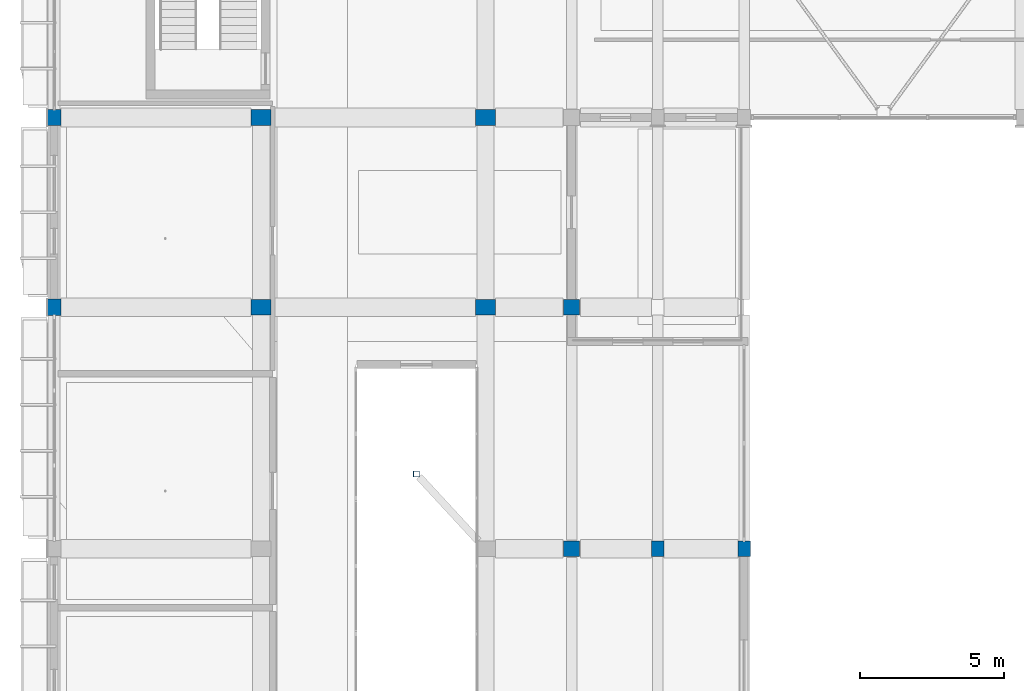
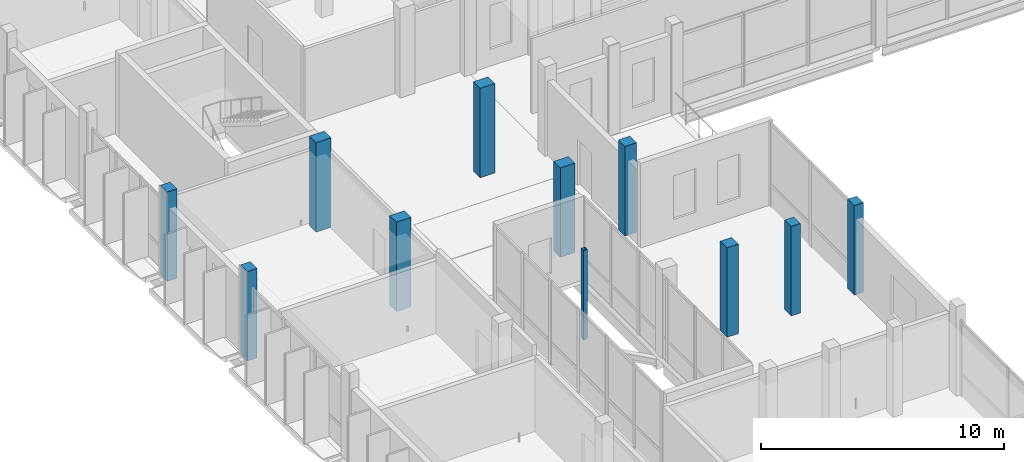
# One storey, part 4 of 95: 11 columns.
"""IFC4 building model written with IfcOpenShell, lengths in metres."""

from ifc_helpers import new_model, si_unit, derived_unit, direction, frame, origin, origin_2d, place, context, subcontext, project, spatial, rectangle, hollow_rectangle, extrude, material, material_profile, profile_set, type_object, element, save


model = new_model("IFC4")

# Units and contexts
model_context = context("Model", 3, precision=1e-05, world=origin(), true_north=direction((0.0, 1.0)))
body_context = subcontext(model_context, "Body", "Model", "MODEL_VIEW")
ifc_project = project(units=[si_unit("LENGTHUNIT", "METRE"), si_unit("AREAUNIT", "SQUARE_METRE"), si_unit("VOLUMEUNIT", "CUBIC_METRE"), si_unit("PLANEANGLEUNIT", "RADIAN"), si_unit("MASSUNIT", "GRAM", prefix="KILO"), derived_unit("THERMALTRANSMITTANCEUNIT", [(si_unit("POWERUNIT", "WATT"), 1), (si_unit("LENGTHUNIT", "METRE"), -2), (si_unit("THERMODYNAMICTEMPERATUREUNIT", "KELVIN"), -1)])], contexts=[model_context])

# Site, building, storey
site_placement = place(None, origin())
site = spatial("IfcSite", under=ifc_project, at=site_placement, CompositionType="ELEMENT")
building_placement = place(site_placement, origin())
building = spatial("IfcBuilding", under=site, at=building_placement, Name="Braskholm Square Health Centre", CompositionType="ELEMENT")
storey_placement = place(building_placement, frame((0.0, 0.0, 4.800048828125)))
storey = spatial("IfcBuildingStorey", under=building, at=storey_placement, Name="L02", CompositionType="ELEMENT", Elevation=4.800048828125)

# Columns
ifc_material_1 = material(Name="Concrete C40/50 (f'c = 40 MPa)", Category="concrete")
ifc_material_profile_1 = material_profile(ifc_material_1, rectangle(XDim=0.699951171875, YDim=0.550048828125, at=origin_2d()), Name="RC-700X550")
ifc_profile_set_1 = profile_set([ifc_material_profile_1], Name="Concrete C40/50 (f'c = 40 MPa)")
column_type_1 = type_object("IfcColumnType", Name="ColImagingHeavy700x550", PredefinedType="COLUMN", material=ifc_profile_set_1)
for number, where, z_axis, x_axis, name in (
    (1, (11.39990234375, 80.60009765625, 0.0), (0.0, 0.0, 1.0), (1.0, 0.0, 0.0), "Column 2/M L02"),
    (2, (11.39990234375, 87.199951171875, 0.0), (0.0, 0.0, 1.0), (1.0, 0.0, 0.0), "Column 2/N L02"),
    (3, (19.199951171875, 80.60009765625, 0.0), (0.0, 0.0, 1.0), (1.0, 0.0, 0.0), "Column 3/M L02"),
    (4, (19.199951171875, 87.199951171875, 0.0), (0.0, 0.0, 1.0), (1.0, 0.0, 0.0), "Column 3/N L02"),
):
    element("IfcColumn", number, at=place(storey_placement, frame(where, z_axis=z_axis, x_axis=x_axis)), inside=storey, type_object=column_type_1, Name=name, PredefinedType="COLUMN", context=body_context, shape_type="SweptSolid", body=[
        extrude(rectangle(XDim=0.699951171875, YDim=0.550048828125, at=origin_2d()), origin(), (0.0, 0.0, 1.0), 4.5),
    ])
ifc_material_profile_2 = material_profile(ifc_material_1, rectangle(XDim=0.550048828125, YDim=0.550048828125, at=origin_2d()), Name="RC-550X550")
ifc_profile_set_2 = profile_set([ifc_material_profile_2], Name="Concrete C40/50 (f'c = 40 MPa)")
column_type_2 = type_object("IfcColumnType", Name="ColInteriorMid550", PredefinedType="COLUMN", material=ifc_profile_set_2)
for number, where, z_axis, x_axis, name in (
    (5, (22.199951171875, 72.199951171875, 0.0), (0.0, 0.0, 1.0), (1.0, 0.0, 0.0), "Column 4/L L02"),
    (6, (22.199951171875, 80.60009765625, 0.0), (0.0, 0.0, 1.0), (1.0, 0.0, 0.0), "Column 4/M L02"),
):
    element("IfcColumn", number, at=place(storey_placement, frame(where, z_axis=z_axis, x_axis=x_axis)), inside=storey, type_object=column_type_2, Name=name, PredefinedType="COLUMN", context=body_context, shape_type="SweptSolid", body=[
        extrude(rectangle(XDim=0.550048828125, YDim=0.550048828125, at=origin_2d()), origin(), (0.0, 0.0, 1.0), 4.5),
    ])
ifc_material_2 = material(Name="Precast concrete C40/50 architectural white", Category="concrete")
ifc_material_profile_3 = material_profile(ifc_material_2, rectangle(XDim=0.43994140625, YDim=0.5400390625, at=origin_2d()), Name="RC-440X540")
ifc_profile_set_3 = profile_set([ifc_material_profile_3], Name="Precast concrete C40/50 architectural white")
column_type_3 = type_object("IfcColumnType", Name="ColPilasterKasota440x540", PredefinedType="PILASTER", material=ifc_profile_set_3)
for number, where, z_axis, x_axis, name in (
    (7, (25.199951171875, 72.199951171875, 0.0), (0.0, 0.0, 1.0), (1.0, 0.0, 0.0), "Column 5/L L02"),
    (8, (28.199951171875, 72.199951171875, 0.0), (0.0, 0.0, 1.0), (1.0, 0.0, 0.0), "Column 6/L L02"),
):
    element("IfcColumn", number, at=place(storey_placement, frame(where, z_axis=z_axis, x_axis=x_axis)), inside=storey, type_object=column_type_3, Name=name, PredefinedType="PILASTER", context=body_context, shape_type="SweptSolid", body=[
        extrude(rectangle(XDim=0.43994140625, YDim=0.5400390625, at=origin_2d()), origin(), (0.0, 0.0, 1.0), 4.5),
    ])
ifc_material_profile_4 = material_profile(ifc_material_2, rectangle(XDim=0.4599609375, YDim=0.56005859375, at=origin_2d()), Name="RC-460X560")
ifc_profile_set_4 = profile_set([ifc_material_profile_4], Name="Precast concrete C40/50 architectural white")
column_type_4 = type_object("IfcColumnType", Name="ColPrecastFrame460x560", PredefinedType="COLUMN", material=ifc_profile_set_4)
for number, where, z_axis, x_axis, name in (
    (9, (4.199951171875, 80.60009765625, 0.0), (0.0, 0.0, 1.0), (1.0, 0.0, 0.0), "Column 1/M L02"),
    (10, (4.199951171875, 87.199951171875, 0.0), (0.0, 0.0, 1.0), (1.0, 0.0, 0.0), "Column 1/N L02"),
):
    element("IfcColumn", number, at=place(storey_placement, frame(where, z_axis=z_axis, x_axis=x_axis)), inside=storey, type_object=column_type_4, Name=name, PredefinedType="COLUMN", context=body_context, shape_type="SweptSolid", body=[
        extrude(rectangle(XDim=0.4599609375, YDim=0.56005859375, at=origin_2d()), origin(), (0.0, 0.0, 1.0), 4.5),
    ])
ifc_material_3 = material(Name="Steel ASTM A500 Grade C", Category="steel")
ifc_material_profile_5 = material_profile(ifc_material_3, hollow_rectangle(XDim=0.203125, YDim=0.203125, WallThickness=0.0087890625, at=origin_2d()), Name="HSS8X8X3/8")
ifc_profile_set_5 = profile_set([ifc_material_profile_5], Name="Steel ASTM A500 Grade C")
column_type_5 = type_object("IfcColumnType", Name="ColSteelPorchHSS8", PredefinedType="COLUMN", material=ifc_profile_set_5)
column_placement = place(storey_placement, frame((16.800048828125, 74.800048828125, 0.0), z_axis=(0.0, 0.0, 1.0), x_axis=(1.0, 0.0, 0.0)))
element("IfcColumn", 11, at=column_placement, inside=storey, type_object=column_type_5, Name="Column CS3E L02", PredefinedType="COLUMN", context=body_context, shape_type="SweptSolid", body=[
    extrude(hollow_rectangle(XDim=0.203125, YDim=0.203125, WallThickness=0.0087890625, at=origin_2d()), origin(), (0.0, 0.0, 1.0), 4.5),
])

save(model, "model.ifc")
